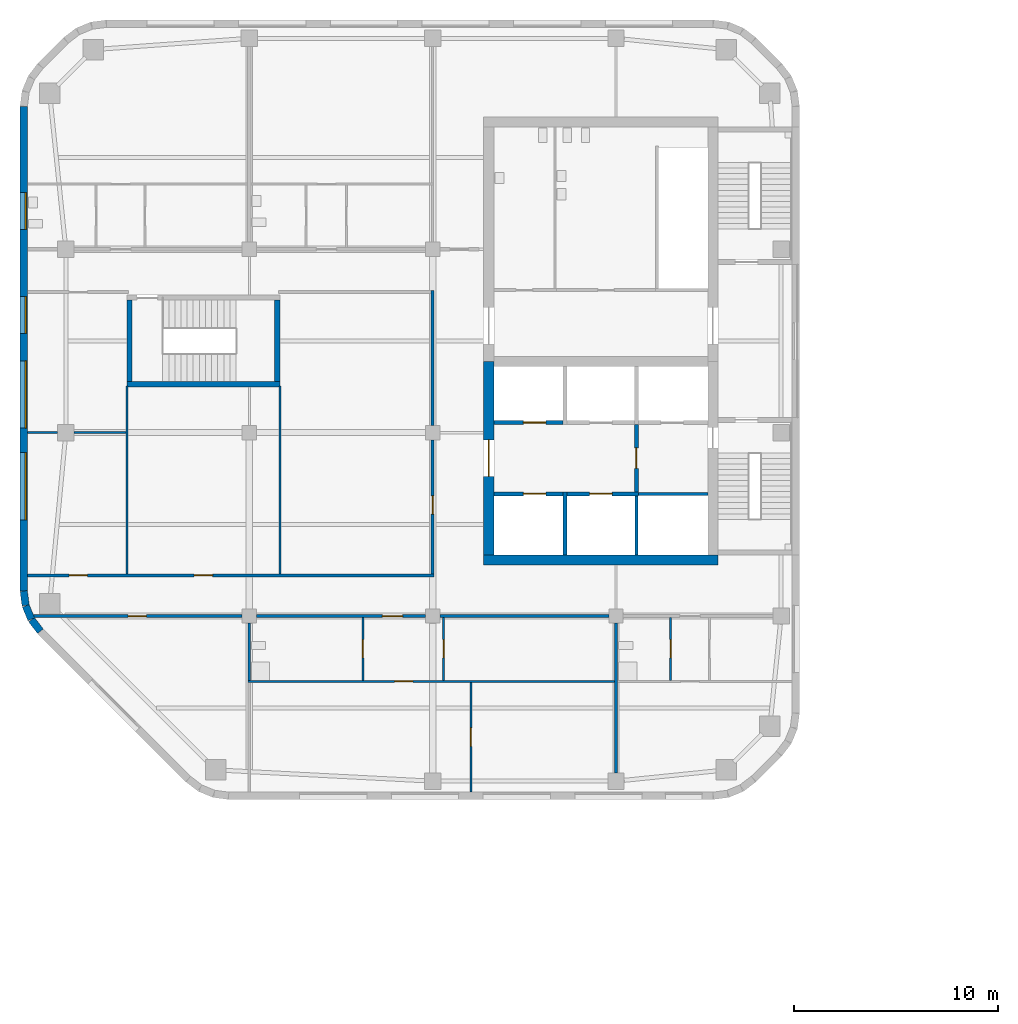
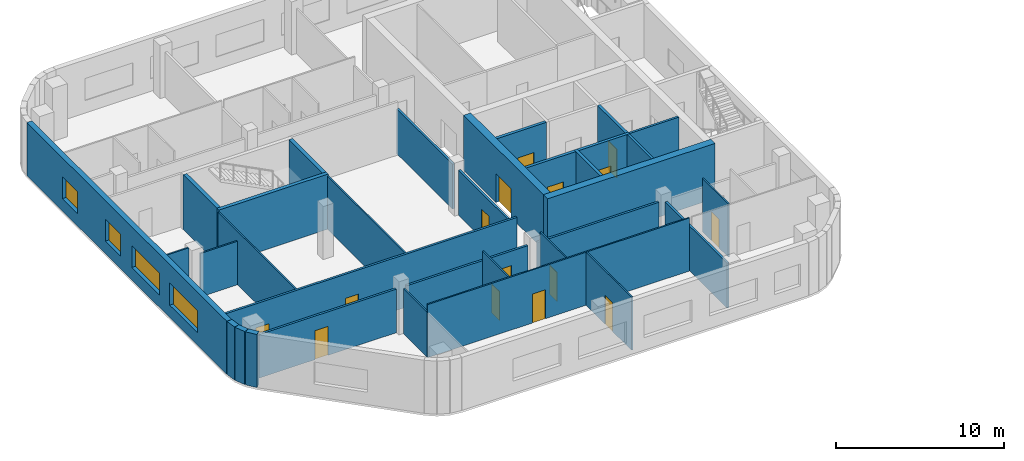
# One storey, part 5 of 15: 33 walls, 15 doors, 4 windows, 19 openings.
"""IFC4 building model written with IfcOpenShell, lengths in metres."""

from ifc_helpers import new_model, si_unit, direction, frame, frame_2d, origin, place, context, subcontext, project, spatial, rectangle, extrude, material, layer, layer_set, type_object, element, fill, save


model = new_model("IFC4")

# Units and contexts
model_context = context("Model", 3, precision=1e-05, world=origin(), true_north=direction((0.0, 1.0)))
body_context = subcontext(model_context, "Body", "Model", "MODEL_VIEW")
ifc_project = project(units=[si_unit("LENGTHUNIT", "METRE"), si_unit("AREAUNIT", "SQUARE_METRE"), si_unit("VOLUMEUNIT", "CUBIC_METRE"), si_unit("PLANEANGLEUNIT", "RADIAN"), si_unit("MASSUNIT", "GRAM", prefix="KILO")], contexts=[model_context])

# Site, building, storey
site_placement = place(None, origin())
site = spatial("IfcSite", under=ifc_project, at=site_placement, CompositionType="ELEMENT")
building_placement = place(site_placement, origin())
building = spatial("IfcBuilding", under=site, at=building_placement, Name="Cinnabar Reach Civic Tower", CompositionType="ELEMENT")
storey_placement = place(building_placement, frame((0.0, 0.0, 59.0)))
storey = spatial("IfcBuildingStorey", under=building, at=storey_placement, Name="L13", CompositionType="ELEMENT", Elevation=59.0)

# Walls
ifc_material_1 = material(Name="Facing brick with insulated backing", Category="masonry")
ifc_layer_1 = layer(ifc_material_1, 0.36)
ifc_layer_set_1 = layer_set([ifc_layer_1], Name="Brick corner wall")
wall_type_1 = type_object("IfcWallType", Name="Brick corner wall", PredefinedType="STANDARD", material=ifc_layer_set_1)
for number, where, z_axis, x_axis, name in (
    (1, (-65.067, 19.2314, 0.0), (0.0, 0.0, 1.0), (0.13055608231, -0.99144092581, 0.0), "Brick corner wall"),
    (2, (-64.9681, 18.5027, 0.0), (0.0, 0.0, 1.0), (0.382702709855, -0.923871547278, 0.0), "Brick corner wall"),
):
    element("IfcWall", number, at=place(storey_placement, frame(where, z_axis=z_axis, x_axis=x_axis)), inside=storey, type_object=wall_type_1, Name=name, PredefinedType="STANDARD", context=body_context, shape_type="SweptSolid", body=[
        extrude(rectangle(XDim=0.7131, YDim=0.36, at=frame_2d((0.3565, 0.0))), origin(), (0.0, 0.0, 1.0), 3.85),
    ])
wall_1_placement = place(storey_placement, frame((-64.684, 17.8245, 0.0), z_axis=(0.0, 0.0, 1.0), x_axis=(0.608802368033, -0.793321924995, 0.0)))
element("IfcWall", 3, at=wall_1_placement, inside=storey, type_object=wall_type_1, Name="Brick corner wall", PredefinedType="STANDARD", context=body_context, shape_type="SweptSolid", body=[
    extrude(rectangle(XDim=0.7132, YDim=0.36, at=frame_2d((0.3566, 0.0))), origin(), (0.0, 0.0, 1.0), 3.85),
])

# Wall, openings, windows
ifc_layer_2 = layer(ifc_material_1, 0.36)
ifc_layer_set_2 = layer_set([ifc_layer_2], Name="Brick pier and spandrel wall")
wall_type_2 = type_object("IfcWallType", Name="Brick pier and spandrel wall", PredefinedType="STANDARD", material=ifc_layer_set_2)
wall_2_placement = place(storey_placement, frame((-65.07, 43.0074, 0.0), z_axis=(0.0, 0.0, 1.0), x_axis=(0.0, -1.0, 0.0)))
wall_2 = element("IfcWall", 4, at=wall_2_placement, inside=storey, type_object=wall_type_2, Name="Brick facade wall", PredefinedType="STANDARD", context=body_context, shape_type="SweptSolid", body=[
    extrude(rectangle(XDim=23.7648, YDim=0.36, at=frame_2d((11.8824, 0.0))), origin(), (0.0, 0.0, 1.0), 3.85),
])
opening_1_placement = place(wall_2_placement, frame((4.2324, 0.0, 0.9)))
opening_1 = element("IfcOpeningElement", 5, at=opening_1_placement, cuts=wall_2, Name="Opening W2528", PredefinedType="OPENING", context=body_context, shape_type="SweptSolid", body=[
    extrude(rectangle(XDim=1.8, YDim=1.6, at=frame_2d((0.9, 0.8))), frame((0.0, 0.19, 0.0), z_axis=(0.0, -1.0, 0.0), x_axis=(1.0, 0.0, 0.0)), (0.0, 0.0, 1.0), 0.38),
])
opening_2_placement = place(wall_2_placement, frame((9.3324, 0.0, 0.9)))
opening_2 = element("IfcOpeningElement", 6, at=opening_2_placement, cuts=wall_2, Name="Opening W2529", PredefinedType="OPENING", context=body_context, shape_type="SweptSolid", body=[
    extrude(rectangle(XDim=1.8, YDim=1.6, at=frame_2d((0.9, 0.8))), frame((0.0, 0.19, 0.0), z_axis=(0.0, -1.0, 0.0), x_axis=(1.0, 0.0, 0.0)), (0.0, 0.0, 1.0), 0.38),
])
opening_3_placement = place(wall_2_placement, frame((12.4824, 0.0, 0.9)))
opening_3 = element("IfcOpeningElement", 7, at=opening_3_placement, cuts=wall_2, Name="Opening W2530", PredefinedType="OPENING", context=body_context, shape_type="SweptSolid", body=[
    extrude(rectangle(XDim=3.3, YDim=1.6, at=frame_2d((1.65, 0.8))), frame((0.0, 0.19, 0.0), z_axis=(0.0, -1.0, 0.0), x_axis=(1.0, 0.0, 0.0)), (0.0, 0.0, 1.0), 0.38),
])
opening_4_placement = place(wall_2_placement, frame((16.9824, 0.0, 0.9)))
opening_4 = element("IfcOpeningElement", 8, at=opening_4_placement, cuts=wall_2, Name="Opening W2531", PredefinedType="OPENING", context=body_context, shape_type="SweptSolid", body=[
    extrude(rectangle(XDim=3.3, YDim=1.6, at=frame_2d((1.65, 0.8))), frame((0.0, 0.19, 0.0), z_axis=(0.0, -1.0, 0.0), x_axis=(1.0, 0.0, 0.0)), (0.0, 0.0, 1.0), 0.38),
])
ifc_material_2 = material(Name="Clear double glazing in aluminium frame", Category="aluminium")
window_type_1 = type_object("IfcWindowType", Name="Deep-set window A", PartitioningType="SINGLE_PANEL", PredefinedType="WINDOW", material=ifc_material_2)
window_1_placement = place(opening_3_placement, origin())
window_1 = element("IfcWindow", 9, at=window_1_placement, inside=storey, type_object=window_type_1, Name="Window west face", OverallHeight=1.6, OverallWidth=3.3, PartitioningType="SINGLE_PANEL", PredefinedType="WINDOW", context=body_context, shape_type="SweptSolid", body=[
    extrude(rectangle(XDim=3.3, YDim=1.6, at=frame_2d((1.65, 0.8))), frame((0.0, 0.13, 0.0), z_axis=(0.0, -1.0, 0.0), x_axis=(1.0, 0.0, 0.0)), (0.0, 0.0, 1.0), 0.06),
])
fill(opening_3, window_1)
window_2_placement = place(opening_4_placement, origin())
window_2 = element("IfcWindow", 10, at=window_2_placement, inside=storey, type_object=window_type_1, Name="Window west face", OverallHeight=1.6, OverallWidth=3.3, PartitioningType="SINGLE_PANEL", PredefinedType="WINDOW", context=body_context, shape_type="SweptSolid", body=[
    extrude(rectangle(XDim=3.3, YDim=1.6, at=frame_2d((1.65, 0.8))), frame((0.0, 0.13, 0.0), z_axis=(0.0, -1.0, 0.0), x_axis=(1.0, 0.0, 0.0)), (0.0, 0.0, 1.0), 0.06),
])
fill(opening_4, window_2)
window_type_2 = type_object("IfcWindowType", Name="Deep-set window D", PartitioningType="SINGLE_PANEL", PredefinedType="WINDOW", material=ifc_material_2)
window_3_placement = place(opening_1_placement, origin())
window_3 = element("IfcWindow", 11, at=window_3_placement, inside=storey, type_object=window_type_2, Name="Window west face", OverallHeight=1.6, OverallWidth=1.8, PartitioningType="SINGLE_PANEL", PredefinedType="WINDOW", context=body_context, shape_type="SweptSolid", body=[
    extrude(rectangle(XDim=1.8, YDim=1.6, at=frame_2d((0.9, 0.8))), frame((0.0, 0.13, 0.0), z_axis=(0.0, -1.0, 0.0), x_axis=(1.0, 0.0, 0.0)), (0.0, 0.0, 1.0), 0.06),
])
fill(opening_1, window_3)
window_4_placement = place(opening_2_placement, origin())
window_4 = element("IfcWindow", 12, at=window_4_placement, inside=storey, type_object=window_type_2, Name="Window west face", OverallHeight=1.6, OverallWidth=1.8, PartitioningType="SINGLE_PANEL", PredefinedType="WINDOW", context=body_context, shape_type="SweptSolid", body=[
    extrude(rectangle(XDim=1.8, YDim=1.6, at=frame_2d((0.9, 0.8))), frame((0.0, 0.13, 0.0), z_axis=(0.0, -1.0, 0.0), x_axis=(1.0, 0.0, 0.0)), (0.0, 0.0, 1.0), 0.06),
])
fill(opening_2, window_4)

# Wall
ifc_material_3 = material(Name="Concrete C60", Category="concrete")
ifc_layer_3 = layer(ifc_material_3, 0.5)
ifc_layer_set_3 = layer_set([ifc_layer_3], Name="Core wall 500 EI 180")
wall_type_3 = type_object("IfcWallType", Name="Core wall 500 EI 180", PredefinedType="SOLIDWALL", material=ifc_layer_set_3)
wall_3_placement = place(storey_placement, frame((-42.5, 20.75, 0.0), z_axis=(0.0, 0.0, 1.0), x_axis=(1.0, 0.0, 0.0)))
element("IfcWall", 13, at=wall_3_placement, inside=storey, type_object=wall_type_3, Name="Core wall T2 L13 S", PredefinedType="SOLIDWALL", context=body_context, shape_type="SweptSolid", body=[
    extrude(rectangle(XDim=11.5, YDim=0.5, at=frame_2d((5.75, 0.0))), origin(), (0.0, 0.0, 1.0), 4.0),
])

# Wall, opening, door
wall_4_placement = place(storey_placement, frame((-42.25, 30.5, 0.0), z_axis=(0.0, 0.0, 1.0), x_axis=(0.0, -1.0, 0.0)))
wall_4 = element("IfcWall", 14, at=wall_4_placement, inside=storey, type_object=wall_type_3, Name="Core wall T2 L13 W2", PredefinedType="SOLIDWALL", context=body_context, shape_type="SweptSolid", body=[
    extrude(rectangle(XDim=9.5, YDim=0.5, at=frame_2d((4.75, 0.0))), origin(), (0.0, 0.0, 1.0), 4.0),
])
opening_5_placement = place(wall_4_placement, frame((3.85, 0.0, 0.0)))
opening_5 = element("IfcOpeningElement", 15, at=opening_5_placement, cuts=wall_4, Name="Opening D6494", PredefinedType="OPENING", context=body_context, shape_type="SweptSolid", body=[
    extrude(rectangle(XDim=1.8, YDim=2.1, at=frame_2d((0.9, 1.05))), frame((0.0, 0.26, 0.0), z_axis=(0.0, -1.0, 0.0), x_axis=(1.0, 0.0, 0.0)), (0.0, 0.0, 1.0), 0.52),
])
ifc_material_4 = material(Name="Steel fire door", Category="steel")
door_type_1 = type_object("IfcDoorType", Name="T2 Double door 1800", OperationType="DOUBLE_DOOR_SINGLE_SWING", PredefinedType="DOOR", material=ifc_material_4)
door_1_placement = place(opening_5_placement, origin())
door_1 = element("IfcDoor", 16, at=door_1_placement, inside=storey, type_object=door_type_1, Name="T2 Double door D6494", OperationType="DOUBLE_DOOR_SINGLE_SWING", OverallHeight=2.1, OverallWidth=1.8, PredefinedType="DOOR", context=body_context, shape_type="SweptSolid", body=[
    extrude(rectangle(XDim=1.8, YDim=2.1, at=frame_2d((0.9, 1.05))), frame((0.0, 0.025, 0.0), z_axis=(0.0, -1.0, 0.0), x_axis=(1.0, 0.0, 0.0)), (0.0, 0.0, 1.0), 0.05),
])
fill(opening_5, door_1)

# Wall
ifc_material_5 = material(Name="Gypsum board on steel studs, double layer", Category="steel")
ifc_layer_4 = layer(ifc_material_5, 0.15)
ifc_layer_set_4 = layer_set([ifc_layer_4], Name="Corridor wall 150 T2")
wall_type_4 = type_object("IfcWallType", Name="Corridor wall 150 T2", PredefinedType="PARTITIONING", material=ifc_layer_set_4)
wall_5_placement = place(storey_placement, frame((-44.65, 18.0, 0.0), z_axis=(0.0, 0.0, 1.0), x_axis=(1.0, 0.0, 0.0)))
element("IfcWall", 17, at=wall_5_placement, inside=storey, type_object=wall_type_4, Name="Corridor wall 2", PredefinedType="PARTITIONING", context=body_context, shape_type="SweptSolid", body=[
    extrude(rectangle(XDim=8.3, YDim=0.15, at=frame_2d((4.15, 0.0))), origin(), (0.0, 0.0, 1.0), 3.158),
])

# Wall, opening, door
wall_6_placement = place(storey_placement, frame((-53.65, 18.0, 0.0), z_axis=(0.0, 0.0, 1.0), x_axis=(1.0, 0.0, 0.0)))
wall_6 = element("IfcWall", 18, at=wall_6_placement, inside=storey, type_object=wall_type_4, Name="Corridor wall 3", PredefinedType="PARTITIONING", context=body_context, shape_type="SweptSolid", body=[
    extrude(rectangle(XDim=8.3, YDim=0.15, at=frame_2d((4.15, 0.0))), origin(), (0.0, 0.0, 1.0), 3.158),
])
opening_6_placement = place(wall_6_placement, frame((6.18, 0.0, 0.0)))
opening_6 = element("IfcOpeningElement", 19, at=opening_6_placement, cuts=wall_6, Name="Opening D6504", PredefinedType="OPENING", context=body_context, shape_type="SweptSolid", body=[
    extrude(rectangle(XDim=1.0, YDim=2.1, at=frame_2d((0.5, 1.05))), frame((0.0, 0.085, 0.0), z_axis=(0.0, -1.0, 0.0), x_axis=(1.0, 0.0, 0.0)), (0.0, 0.0, 1.0), 0.17),
])
ifc_material_6 = material(Name="Timber door leaf in steel frame", Category="steel")
door_type_2 = type_object("IfcDoorType", Name="Tenancy entrance door 1000 x 2100 T2", OperationType="SINGLE_SWING_LEFT", PredefinedType="DOOR", material=ifc_material_6)
door_2_placement = place(opening_6_placement, frame((1.0, 0.0, 0.0), z_axis=(0.0, 0.0, 1.0), x_axis=(-1.0, 0.0, 0.0)))
door_2 = element("IfcDoor", 20, at=door_2_placement, inside=storey, type_object=door_type_2, Name="Door D6504", OperationType="SINGLE_SWING_RIGHT", OverallHeight=2.1, OverallWidth=1.0, PredefinedType="DOOR", context=body_context, shape_type="SweptSolid", body=[
    extrude(rectangle(XDim=1.0, YDim=2.1, at=frame_2d((0.5, 1.05))), frame((0.0, 0.025, 0.0), z_axis=(0.0, -1.0, 0.0), x_axis=(1.0, 0.0, 0.0)), (0.0, 0.0, 1.0), 0.05),
])
fill(opening_6, door_2)

wall_7_placement = place(storey_placement, frame((-64.5961, 18.0, 0.0), z_axis=(0.0, 0.0, 1.0), x_axis=(1.0, 0.0, 0.0)))
wall_7 = element("IfcWall", 21, at=wall_7_placement, inside=storey, type_object=wall_type_4, Name="Corridor wall 4", PredefinedType="PARTITIONING", context=body_context, shape_type="SweptSolid", body=[
    extrude(rectangle(XDim=10.2461, YDim=0.15, at=frame_2d((5.1231, 0.0))), origin(), (0.0, 0.0, 1.0), 3.158),
])
opening_7_placement = place(wall_7_placement, frame((4.65, 0.0, 0.0)))
opening_7 = element("IfcOpeningElement", 22, at=opening_7_placement, cuts=wall_7, Name="Opening D6499", PredefinedType="OPENING", context=body_context, shape_type="SweptSolid", body=[
    extrude(rectangle(XDim=0.9, YDim=2.1, at=frame_2d((0.45, 1.05))), frame((0.0, 0.085, 0.0), z_axis=(0.0, -1.0, 0.0), x_axis=(1.0, 0.0, 0.0)), (0.0, 0.0, 1.0), 0.17),
])
door_type_3 = type_object("IfcDoorType", Name="Single swing door 900 x 2100 T2", OperationType="SINGLE_SWING_LEFT", PredefinedType="DOOR", material=ifc_material_6)
door_3_placement = place(opening_7_placement, frame((0.9, 0.0, 0.0), z_axis=(0.0, 0.0, 1.0), x_axis=(-1.0, 0.0, 0.0)))
door_3 = element("IfcDoor", 23, at=door_3_placement, inside=storey, type_object=door_type_3, Name="Door D6499", OperationType="SINGLE_SWING_LEFT", OverallHeight=2.1, OverallWidth=0.9, PredefinedType="DOOR", context=body_context, shape_type="SweptSolid", body=[
    extrude(rectangle(XDim=0.9, YDim=2.1, at=frame_2d((0.45, 1.05))), frame((0.0, 0.025, 0.0), z_axis=(0.0, -1.0, 0.0), x_axis=(1.0, 0.0, 0.0)), (0.0, 0.0, 1.0), 0.05),
])
fill(opening_7, door_3)

# Wall, openings, doors
wall_8_placement = place(storey_placement, frame((-64.89, 20.0, 0.0), z_axis=(0.0, 0.0, 1.0), x_axis=(1.0, 0.0, 0.0)))
wall_8 = element("IfcWall", 24, at=wall_8_placement, inside=storey, type_object=wall_type_4, Name="Corridor wall 9", PredefinedType="PARTITIONING", context=body_context, shape_type="SweptSolid", body=[
    extrude(rectangle(XDim=19.965, YDim=0.15, at=frame_2d((9.9825, 0.0))), origin(), (0.0, 0.0, 1.0), 3.85),
])
opening_8_placement = place(wall_8_placement, frame((2.05, 0.0, 0.0)))
opening_8 = element("IfcOpeningElement", 25, at=opening_8_placement, cuts=wall_8, Name="Opening D6517", PredefinedType="OPENING", context=body_context, shape_type="SweptSolid", body=[
    extrude(rectangle(XDim=0.9, YDim=2.1, at=frame_2d((0.45, 1.05))), frame((0.0, 0.085, 0.0), z_axis=(0.0, -1.0, 0.0), x_axis=(1.0, 0.0, 0.0)), (0.0, 0.0, 1.0), 0.17),
])
opening_9_placement = place(wall_8_placement, frame((8.19, 0.0, 0.0)))
opening_9 = element("IfcOpeningElement", 26, at=opening_9_placement, cuts=wall_8, Name="Opening D6519", PredefinedType="OPENING", context=body_context, shape_type="SweptSolid", body=[
    extrude(rectangle(XDim=0.9, YDim=2.1, at=frame_2d((0.45, 1.05))), frame((0.0, 0.085, 0.0), z_axis=(0.0, -1.0, 0.0), x_axis=(1.0, 0.0, 0.0)), (0.0, 0.0, 1.0), 0.17),
])
door_4_placement = place(opening_8_placement, origin())
door_4 = element("IfcDoor", 27, at=door_4_placement, inside=storey, type_object=door_type_3, Name="Door D6517", OperationType="SINGLE_SWING_LEFT", OverallHeight=2.1, OverallWidth=0.9, PredefinedType="DOOR", context=body_context, shape_type="SweptSolid", body=[
    extrude(rectangle(XDim=0.9, YDim=2.1, at=frame_2d((0.45, 1.05))), frame((0.0, 0.025, 0.0), z_axis=(0.0, -1.0, 0.0), x_axis=(1.0, 0.0, 0.0)), (0.0, 0.0, 1.0), 0.05),
])
fill(opening_8, door_4)
door_5_placement = place(opening_9_placement, origin())
door_5 = element("IfcDoor", 28, at=door_5_placement, inside=storey, type_object=door_type_3, Name="Door D6519", OperationType="SINGLE_SWING_RIGHT", OverallHeight=2.1, OverallWidth=0.9, PredefinedType="DOOR", context=body_context, shape_type="SweptSolid", body=[
    extrude(rectangle(XDim=0.9, YDim=2.1, at=frame_2d((0.45, 1.05))), frame((0.0, 0.025, 0.0), z_axis=(0.0, -1.0, 0.0), x_axis=(1.0, 0.0, 0.0)), (0.0, 0.0, 1.0), 0.05),
])
fill(opening_9, door_5)

# Wall, opening, door
wall_9_placement = place(storey_placement, frame((-45.0, 20.075, 0.0), z_axis=(0.0, 0.0, 1.0), x_axis=(0.0, 1.0, 0.0)))
wall_9 = element("IfcWall", 29, at=wall_9_placement, inside=storey, type_object=wall_type_4, Name="Corridor wall 10", PredefinedType="PARTITIONING", context=body_context, shape_type="SweptSolid", body=[
    extrude(rectangle(XDim=6.575, YDim=0.15, at=frame_2d((3.2875, 0.0))), origin(), (0.0, 0.0, 1.0), 3.256),
])
opening_10_placement = place(wall_9_placement, frame((2.925, 0.0, 0.0)))
opening_10 = element("IfcOpeningElement", 30, at=opening_10_placement, cuts=wall_9, Name="Opening D6520", PredefinedType="OPENING", context=body_context, shape_type="SweptSolid", body=[
    extrude(rectangle(XDim=0.9, YDim=2.1, at=frame_2d((0.45, 1.05))), frame((0.0, 0.085, 0.0), z_axis=(0.0, -1.0, 0.0), x_axis=(1.0, 0.0, 0.0)), (0.0, 0.0, 1.0), 0.17),
])
door_6_placement = place(opening_10_placement, origin())
door_6 = element("IfcDoor", 31, at=door_6_placement, inside=storey, type_object=door_type_3, Name="Door D6520", OperationType="SINGLE_SWING_RIGHT", OverallHeight=2.1, OverallWidth=0.9, PredefinedType="DOOR", context=body_context, shape_type="SweptSolid", body=[
    extrude(rectangle(XDim=0.9, YDim=2.1, at=frame_2d((0.45, 1.05))), frame((0.0, 0.025, 0.0), z_axis=(0.0, -1.0, 0.0), x_axis=(1.0, 0.0, 0.0)), (0.0, 0.0, 1.0), 0.05),
])
fill(opening_10, door_6)

# Wall
wall_10_placement = place(storey_placement, frame((-45.0, 27.35, 0.0), z_axis=(0.0, 0.0, 1.0), x_axis=(0.0, 1.0, 0.0)))
element("IfcWall", 32, at=wall_10_placement, inside=storey, type_object=wall_type_4, Name="Corridor wall 11", PredefinedType="PARTITIONING", context=body_context, shape_type="SweptSolid", body=[
    extrude(rectangle(XDim=6.625, YDim=0.15, at=frame_2d((3.3125, 0.0))), origin(), (0.0, 0.0, 1.0), 3.256),
])

# Wall, opening, door
ifc_material_7 = material(Name="Gypsum board on steel studs", Category="steel")
ifc_layer_5 = layer(ifc_material_7, 0.1)
ifc_layer_set_5 = layer_set([ifc_layer_5], Name="Partition wall 100 T2")
wall_type_5 = type_object("IfcWallType", Name="Partition wall 100 T2", PredefinedType="PARTITIONING", material=ifc_layer_set_5)
wall_11_placement = place(storey_placement, frame((-54.05, 14.8, 0.0), z_axis=(0.0, 0.0, 1.0), x_axis=(1.0, 0.0, 0.0)))
wall_11 = element("IfcWall", 33, at=wall_11_placement, inside=storey, type_object=wall_type_5, Name="Partition wall 16", PredefinedType="PARTITIONING", context=body_context, shape_type="SweptSolid", body=[
    extrude(rectangle(XDim=17.975, YDim=0.1, at=frame_2d((8.9875, 0.0))), origin(), (0.0, 0.0, 1.0), 3.85),
])
opening_11_placement = place(wall_11_placement, frame((7.18, 0.0, 0.0)))
opening_11 = element("IfcOpeningElement", 34, at=opening_11_placement, cuts=wall_11, Name="Opening D6502", PredefinedType="OPENING", context=body_context, shape_type="SweptSolid", body=[
    extrude(rectangle(XDim=0.9, YDim=2.1, at=frame_2d((0.45, 1.05))), frame((0.0, 0.06, 0.0), z_axis=(0.0, -1.0, 0.0), x_axis=(1.0, 0.0, 0.0)), (0.0, 0.0, 1.0), 0.12),
])
door_7_placement = place(opening_11_placement, origin())
door_7 = element("IfcDoor", 35, at=door_7_placement, inside=storey, type_object=door_type_3, Name="Door D6502", OperationType="SINGLE_SWING_RIGHT", OverallHeight=2.1, OverallWidth=0.9, PredefinedType="DOOR", context=body_context, shape_type="SweptSolid", body=[
    extrude(rectangle(XDim=0.9, YDim=2.1, at=frame_2d((0.45, 1.05))), frame((0.0, 0.025, 0.0), z_axis=(0.0, -1.0, 0.0), x_axis=(1.0, 0.0, 0.0)), (0.0, 0.0, 1.0), 0.05),
])
fill(opening_11, door_7)

# Walls
for number, where, z_axis, x_axis, name in (
    (36, (-60.0, 20.075, 0.0), (0.0, 0.0, 1.0), (0.0, 1.0, 0.0), "Partition wall 22"),
    (37, (-52.5, 20.075, 0.0), (0.0, 0.0, 1.0), (0.0, 1.0, 0.0), "Partition wall 23"),
):
    element("IfcWall", number, at=place(storey_placement, frame(where, z_axis=z_axis, x_axis=x_axis)), inside=storey, type_object=wall_type_5, Name=name, PredefinedType="PARTITIONING", context=body_context, shape_type="SweptSolid", body=[
        extrude(rectangle(XDim=9.225, YDim=0.1, at=frame_2d((4.6125, 0.0))), origin(), (0.0, 0.0, 1.0), 3.85),
    ])
wall_12_placement = place(storey_placement, frame((-54.0, 14.85, 0.0), z_axis=(0.0, 0.0, 1.0), x_axis=(0.0, 1.0, 0.0)))
element("IfcWall", 38, at=wall_12_placement, inside=storey, type_object=wall_type_5, Name="Partition wall 25", PredefinedType="PARTITIONING", context=body_context, shape_type="SweptSolid", body=[
    extrude(rectangle(XDim=2.8, YDim=0.1, at=frame_2d((1.4, 0.0))), origin(), (0.0, 0.0, 1.0), 3.256),
])

# Wall, opening, door
wall_13_placement = place(storey_placement, frame((-43.13, 9.36, 0.0), z_axis=(0.0, 0.0, 1.0), x_axis=(0.0, 1.0, 0.0)))
wall_13 = element("IfcWall", 39, at=wall_13_placement, inside=storey, type_object=wall_type_5, Name="Partition wall 26", PredefinedType="PARTITIONING", context=body_context, shape_type="SweptSolid", body=[
    extrude(rectangle(XDim=5.39, YDim=0.1, at=frame_2d((2.695, 0.0))), origin(), (0.0, 0.0, 1.0), 3.85),
])
opening_12_placement = place(wall_13_placement, frame((2.25, 0.0, 0.0)))
opening_12 = element("IfcOpeningElement", 40, at=opening_12_placement, cuts=wall_13, Name="Opening D6503", PredefinedType="OPENING", context=body_context, shape_type="SweptSolid", body=[
    extrude(rectangle(XDim=0.9, YDim=2.1, at=frame_2d((0.45, 1.05))), frame((0.0, 0.06, 0.0), z_axis=(0.0, -1.0, 0.0), x_axis=(1.0, 0.0, 0.0)), (0.0, 0.0, 1.0), 0.12),
])
door_8_placement = place(opening_12_placement, frame((0.9, 0.0, 0.0), z_axis=(0.0, 0.0, 1.0), x_axis=(-1.0, 0.0, 0.0)))
door_8 = element("IfcDoor", 41, at=door_8_placement, inside=storey, type_object=door_type_3, Name="Door D6503", OperationType="SINGLE_SWING_RIGHT", OverallHeight=2.1, OverallWidth=0.9, PredefinedType="DOOR", context=body_context, shape_type="SweptSolid", body=[
    extrude(rectangle(XDim=0.9, YDim=2.1, at=frame_2d((0.45, 1.05))), frame((0.0, 0.025, 0.0), z_axis=(0.0, -1.0, 0.0), x_axis=(1.0, 0.0, 0.0)), (0.0, 0.0, 1.0), 0.05),
])
fill(opening_12, door_8)

# Walls
wall_14_placement = place(storey_placement, frame((-62.6, 27.0, 0.0), z_axis=(0.0, 0.0, 1.0), x_axis=(1.0, 0.0, 0.0)))
element("IfcWall", 42, at=wall_14_placement, inside=storey, type_object=wall_type_5, Name="Partition wall 27", PredefinedType="PARTITIONING", context=body_context, shape_type="SweptSolid", body=[
    extrude(rectangle(XDim=2.55, YDim=0.1, at=frame_2d((1.275, 0.0))), origin(), (0.0, 0.0, 1.0), 3.158),
])
wall_15_placement = place(storey_placement, frame((-64.89, 27.0, 0.0), z_axis=(0.0, 0.0, 1.0), x_axis=(1.0, 0.0, 0.0)))
element("IfcWall", 43, at=wall_15_placement, inside=storey, type_object=wall_type_5, Name="Partition wall 28", PredefinedType="PARTITIONING", context=body_context, shape_type="SweptSolid", body=[
    extrude(rectangle(XDim=1.49, YDim=0.1, at=frame_2d((0.745, 0.0))), origin(), (0.0, 0.0, 1.0), 3.85),
])

# Wall, opening, door
wall_16_placement = place(storey_placement, frame((-48.42, 14.85, 0.0), z_axis=(0.0, 0.0, 1.0), x_axis=(0.0, 1.0, 0.0)))
wall_16 = element("IfcWall", 44, at=wall_16_placement, inside=storey, type_object=wall_type_5, Name="Partition wall 33", PredefinedType="PARTITIONING", context=body_context, shape_type="SweptSolid", body=[
    extrude(rectangle(XDim=3.075, YDim=0.1, at=frame_2d((1.5375, 0.0))), origin(), (0.0, 0.0, 1.0), 3.85),
])
opening_13_placement = place(wall_16_placement, frame((1.1, 0.0, 0.0)))
opening_13 = element("IfcOpeningElement", 45, at=opening_13_placement, cuts=wall_16, Name="Opening D6500", PredefinedType="OPENING", context=body_context, shape_type="SweptSolid", body=[
    extrude(rectangle(XDim=0.9, YDim=2.1, at=frame_2d((0.45, 1.05))), frame((0.0, 0.06, 0.0), z_axis=(0.0, -1.0, 0.0), x_axis=(1.0, 0.0, 0.0)), (0.0, 0.0, 1.0), 0.12),
])
door_9_placement = place(opening_13_placement, origin())
door_9 = element("IfcDoor", 46, at=door_9_placement, inside=storey, type_object=door_type_3, Name="Door D6500", OperationType="SINGLE_SWING_RIGHT", OverallHeight=2.1, OverallWidth=0.9, PredefinedType="DOOR", context=body_context, shape_type="SweptSolid", body=[
    extrude(rectangle(XDim=0.9, YDim=2.1, at=frame_2d((0.45, 1.05))), frame((0.0, 0.025, 0.0), z_axis=(0.0, -1.0, 0.0), x_axis=(1.0, 0.0, 0.0)), (0.0, 0.0, 1.0), 0.05),
])
fill(opening_13, door_9)

wall_17_placement = place(storey_placement, frame((-44.46, 14.85, 0.0), z_axis=(0.0, 0.0, 1.0), x_axis=(0.0, 1.0, 0.0)))
wall_17 = element("IfcWall", 47, at=wall_17_placement, inside=storey, type_object=wall_type_5, Name="Partition wall 34", PredefinedType="PARTITIONING", context=body_context, shape_type="SweptSolid", body=[
    extrude(rectangle(XDim=3.075, YDim=0.1, at=frame_2d((1.5375, 0.0))), origin(), (0.0, 0.0, 1.0), 3.85),
])
opening_14_placement = place(wall_17_placement, frame((1.1, 0.0, 0.0)))
opening_14 = element("IfcOpeningElement", 48, at=opening_14_placement, cuts=wall_17, Name="Opening D6501", PredefinedType="OPENING", context=body_context, shape_type="SweptSolid", body=[
    extrude(rectangle(XDim=0.9, YDim=2.1, at=frame_2d((0.45, 1.05))), frame((0.0, 0.06, 0.0), z_axis=(0.0, -1.0, 0.0), x_axis=(1.0, 0.0, 0.0)), (0.0, 0.0, 1.0), 0.12),
])
door_10_placement = place(opening_14_placement, origin())
door_10 = element("IfcDoor", 49, at=door_10_placement, inside=storey, type_object=door_type_3, Name="Door D6501", OperationType="SINGLE_SWING_LEFT", OverallHeight=2.1, OverallWidth=0.9, PredefinedType="DOOR", context=body_context, shape_type="SweptSolid", body=[
    extrude(rectangle(XDim=0.9, YDim=2.1, at=frame_2d((0.45, 1.05))), frame((0.0, 0.025, 0.0), z_axis=(0.0, -1.0, 0.0), x_axis=(1.0, 0.0, 0.0)), (0.0, 0.0, 1.0), 0.05),
])
fill(opening_14, door_10)

wall_18_placement = place(storey_placement, frame((-33.3216, 14.85, 0.0), z_axis=(0.0, 0.0, 1.0), x_axis=(0.0, 1.0, 0.0)))
wall_18 = element("IfcWall", 50, at=wall_18_placement, inside=storey, type_object=wall_type_5, Name="Partition wall 35", PredefinedType="PARTITIONING", context=body_context, shape_type="SweptSolid", body=[
    extrude(rectangle(XDim=3.075, YDim=0.1, at=frame_2d((1.5375, 0.0))), origin(), (0.0, 0.0, 1.0), 3.85),
])
opening_15_placement = place(wall_18_placement, frame((1.1, 0.0, 0.0)))
opening_15 = element("IfcOpeningElement", 51, at=opening_15_placement, cuts=wall_18, Name="Opening D6505", PredefinedType="OPENING", context=body_context, shape_type="SweptSolid", body=[
    extrude(rectangle(XDim=0.9, YDim=2.1, at=frame_2d((0.45, 1.05))), frame((0.0, 0.06, 0.0), z_axis=(0.0, -1.0, 0.0), x_axis=(1.0, 0.0, 0.0)), (0.0, 0.0, 1.0), 0.12),
])
door_11_placement = place(opening_15_placement, origin())
door_11 = element("IfcDoor", 52, at=door_11_placement, inside=storey, type_object=door_type_3, Name="Door D6505", OperationType="SINGLE_SWING_LEFT", OverallHeight=2.1, OverallWidth=0.9, PredefinedType="DOOR", context=body_context, shape_type="SweptSolid", body=[
    extrude(rectangle(XDim=0.9, YDim=2.1, at=frame_2d((0.45, 1.05))), frame((0.0, 0.025, 0.0), z_axis=(0.0, -1.0, 0.0), x_axis=(1.0, 0.0, 0.0)), (0.0, 0.0, 1.0), 0.05),
])
fill(opening_15, door_11)

# Walls
ifc_layer_6 = layer(ifc_material_3, 0.25)
ifc_layer_set_6 = layer_set([ifc_layer_6], Name="Stair shaft wall 250 EI 120")
wall_type_6 = type_object("IfcWallType", Name="Stair shaft wall 250 EI 120", PredefinedType="SOLIDWALL", material=ifc_layer_set_6)
wall_19_placement = place(storey_placement, frame((-60.0, 29.375, 0.0), z_axis=(0.0, 0.0, 1.0), x_axis=(1.0, 0.0, 0.0)))
element("IfcWall", 53, at=wall_19_placement, inside=storey, type_object=wall_type_6, Name="Stair shaft wall T2-S3 L13", PredefinedType="SOLIDWALL", context=body_context, shape_type="SweptSolid", body=[
    extrude(rectangle(XDim=7.5, YDim=0.25, at=frame_2d((3.75, 0.0))), origin(), (0.0, 0.0, 1.0), 4.0),
])
for number, where, z_axis, x_axis, name in (
    (54, (-52.625, 29.5, 0.0), (0.0, 0.0, 1.0), (0.0, 1.0, 0.0), "Stair shaft wall T2-S3 L13"),
    (55, (-59.875, 33.5, 0.0), (0.0, 0.0, 1.0), (0.0, -1.0, 0.0), "Stair shaft wall T2-S3 L13"),
):
    element("IfcWall", number, at=place(storey_placement, frame(where, z_axis=z_axis, x_axis=x_axis)), inside=storey, type_object=wall_type_6, Name=name, PredefinedType="SOLIDWALL", context=body_context, shape_type="SweptSolid", body=[
        extrude(rectangle(XDim=4.0, YDim=0.25, at=frame_2d((2.0, 0.0))), origin(), (0.0, 0.0, 1.0), 4.0),
    ])
ifc_material_8 = material(Name="Concrete C40", Category="concrete")
ifc_layer_7 = layer(ifc_material_8, 0.15)
ifc_layer_set_7 = layer_set([ifc_layer_7], Name="T2 Riser wall 150")
wall_type_7 = type_object("IfcWallType", Name="T2 Riser wall 150", PredefinedType="SOLIDWALL", material=ifc_layer_set_7)
wall_20_placement = place(storey_placement, frame((-35.0, 21.0, 0.0), z_axis=(0.0, 0.0, 1.0), x_axis=(0.0, 1.0, 0.0)))
element("IfcWall", 56, at=wall_20_placement, inside=storey, type_object=wall_type_7, Name="T2 Riser wall L13 010", PredefinedType="SOLIDWALL", context=body_context, shape_type="SweptSolid", body=[
    extrude(rectangle(XDim=2.9, YDim=0.15, at=frame_2d((1.45, 0.0))), origin(), (0.0, 0.0, 1.0), 4.0),
])
wall_21_placement = place(storey_placement, frame((-31.5, 24.0, 0.0), z_axis=(0.0, 0.0, 1.0), x_axis=(-1.0, 0.0, 0.0)))
element("IfcWall", 57, at=wall_21_placement, inside=storey, type_object=wall_type_7, Name="T2 Riser wall L13 011", PredefinedType="SOLIDWALL", context=body_context, shape_type="SweptSolid", body=[
    extrude(rectangle(XDim=3.4, YDim=0.15, at=frame_2d((1.7, 0.0))), origin(), (0.0, 0.0, 1.0), 4.0),
])
ifc_layer_8 = layer(ifc_material_8, 0.2)
ifc_layer_set_8 = layer_set([ifc_layer_8], Name="T2 Shaft wall 200")
wall_type_8 = type_object("IfcWallType", Name="T2 Shaft wall 200", PredefinedType="SOLIDWALL", material=ifc_layer_set_8)
wall_22_placement = place(storey_placement, frame((-38.5, 21.0, 0.0), z_axis=(0.0, 0.0, 1.0), x_axis=(0.0, 1.0, 0.0)))
element("IfcWall", 58, at=wall_22_placement, inside=storey, type_object=wall_type_8, Name="T2 Shaft wall L13 001", PredefinedType="SOLIDWALL", context=body_context, shape_type="SweptSolid", body=[
    extrude(rectangle(XDim=3.1, YDim=0.2, at=frame_2d((1.55, 0.0))), origin(), (0.0, 0.0, 1.0), 4.0),
])

# Wall, opening, door
wall_23_placement = place(storey_placement, frame((-38.6, 24.0, 0.0), z_axis=(0.0, 0.0, 1.0), x_axis=(-1.0, 0.0, 0.0)))
wall_23 = element("IfcWall", 59, at=wall_23_placement, inside=storey, type_object=wall_type_8, Name="T2 Shaft wall L13 002", PredefinedType="SOLIDWALL", context=body_context, shape_type="SweptSolid", body=[
    extrude(rectangle(XDim=3.4, YDim=0.2, at=frame_2d((1.7, 0.0))), origin(), (0.0, 0.0, 1.0), 4.0),
])
opening_16_placement = place(wall_23_placement, frame((0.85, 0.0, 0.0)))
opening_16 = element("IfcOpeningElement", 60, at=opening_16_placement, cuts=wall_23, Name="Opening D6484", PredefinedType="OPENING", context=body_context, shape_type="SweptSolid", body=[
    extrude(rectangle(XDim=1.1, YDim=2.1, at=frame_2d((0.55, 1.05))), frame((0.0, 0.11, 0.0), z_axis=(0.0, -1.0, 0.0), x_axis=(1.0, 0.0, 0.0)), (0.0, 0.0, 1.0), 0.22),
])
door_type_4 = type_object("IfcDoorType", Name="T2 Lift landing door 1100", OperationType="SLIDING_TO_LEFT", PredefinedType="DOOR", material=ifc_material_4)
door_12_placement = place(opening_16_placement, origin())
door_12 = element("IfcDoor", 61, at=door_12_placement, inside=storey, type_object=door_type_4, Name="T2 Lift landing door D6484", OperationType="SLIDING_TO_LEFT", OverallHeight=2.1, OverallWidth=1.1, PredefinedType="DOOR", context=body_context, shape_type="SweptSolid", body=[
    extrude(rectangle(XDim=1.1, YDim=2.1, at=frame_2d((0.55, 1.05))), frame((0.0, 0.025, 0.0), z_axis=(0.0, -1.0, 0.0), x_axis=(1.0, 0.0, 0.0)), (0.0, 0.0, 1.0), 0.05),
])
fill(opening_16, door_12)

wall_24_placement = place(storey_placement, frame((-34.9, 24.0, 0.0), z_axis=(0.0, 0.0, 1.0), x_axis=(-1.0, 0.0, 0.0)))
wall_24 = element("IfcWall", 62, at=wall_24_placement, inside=storey, type_object=wall_type_8, Name="T2 Shaft wall L13 003", PredefinedType="SOLIDWALL", context=body_context, shape_type="SweptSolid", body=[
    extrude(rectangle(XDim=3.5, YDim=0.2, at=frame_2d((1.75, 0.0))), origin(), (0.0, 0.0, 1.0), 4.0),
])
opening_17_placement = place(wall_24_placement, frame((1.3, 0.0, 0.0)))
opening_17 = element("IfcOpeningElement", 63, at=opening_17_placement, cuts=wall_24, Name="Opening D6485", PredefinedType="OPENING", context=body_context, shape_type="SweptSolid", body=[
    extrude(rectangle(XDim=1.1, YDim=2.1, at=frame_2d((0.55, 1.05))), frame((0.0, 0.11, 0.0), z_axis=(0.0, -1.0, 0.0), x_axis=(1.0, 0.0, 0.0)), (0.0, 0.0, 1.0), 0.22),
])
door_13_placement = place(opening_17_placement, origin())
door_13 = element("IfcDoor", 64, at=door_13_placement, inside=storey, type_object=door_type_4, Name="T2 Lift landing door D6485", OperationType="SLIDING_TO_LEFT", OverallHeight=2.1, OverallWidth=1.1, PredefinedType="DOOR", context=body_context, shape_type="SweptSolid", body=[
    extrude(rectangle(XDim=1.1, YDim=2.1, at=frame_2d((0.55, 1.05))), frame((0.0, 0.025, 0.0), z_axis=(0.0, -1.0, 0.0), x_axis=(1.0, 0.0, 0.0)), (0.0, 0.0, 1.0), 0.05),
])
fill(opening_17, door_13)

wall_25_placement = place(storey_placement, frame((-42.0, 27.5, 0.0), z_axis=(0.0, 0.0, 1.0), x_axis=(1.0, 0.0, 0.0)))
wall_25 = element("IfcWall", 65, at=wall_25_placement, inside=storey, type_object=wall_type_8, Name="T2 Shaft wall L13 005", PredefinedType="SOLIDWALL", context=body_context, shape_type="SweptSolid", body=[
    extrude(rectangle(XDim=3.4, YDim=0.2, at=frame_2d((1.7, 0.0))), origin(), (0.0, 0.0, 1.0), 4.0),
])
opening_18_placement = place(wall_25_placement, frame((1.45, 0.0, 0.0)))
opening_18 = element("IfcOpeningElement", 66, at=opening_18_placement, cuts=wall_25, Name="Opening D6486", PredefinedType="OPENING", context=body_context, shape_type="SweptSolid", body=[
    extrude(rectangle(XDim=1.1, YDim=2.1, at=frame_2d((0.55, 1.05))), frame((0.0, 0.11, 0.0), z_axis=(0.0, -1.0, 0.0), x_axis=(1.0, 0.0, 0.0)), (0.0, 0.0, 1.0), 0.22),
])
door_14_placement = place(opening_18_placement, origin())
door_14 = element("IfcDoor", 67, at=door_14_placement, inside=storey, type_object=door_type_4, Name="T2 Lift landing door D6486", OperationType="SLIDING_TO_LEFT", OverallHeight=2.1, OverallWidth=1.1, PredefinedType="DOOR", context=body_context, shape_type="SweptSolid", body=[
    extrude(rectangle(XDim=1.1, YDim=2.1, at=frame_2d((0.55, 1.05))), frame((0.0, 0.025, 0.0), z_axis=(0.0, -1.0, 0.0), x_axis=(1.0, 0.0, 0.0)), (0.0, 0.0, 1.0), 0.05),
])
fill(opening_18, door_14)

wall_26_placement = place(storey_placement, frame((-35.0, 24.1, 0.0), z_axis=(0.0, 0.0, 1.0), x_axis=(0.0, 1.0, 0.0)))
wall_26 = element("IfcWall", 68, at=wall_26_placement, inside=storey, type_object=wall_type_8, Name="T2 Shaft wall L13 009", PredefinedType="SOLIDWALL", context=body_context, shape_type="SweptSolid", body=[
    extrude(rectangle(XDim=3.3, YDim=0.2, at=frame_2d((1.65, 0.0))), origin(), (0.0, 0.0, 1.0), 4.0),
])
opening_19_placement = place(wall_26_placement, frame((1.15, 0.0, 0.0)))
opening_19 = element("IfcOpeningElement", 69, at=opening_19_placement, cuts=wall_26, Name="Opening D6489", PredefinedType="OPENING", context=body_context, shape_type="SweptSolid", body=[
    extrude(rectangle(XDim=1.0, YDim=2.1, at=frame_2d((0.5, 1.05))), frame((0.0, 0.11, 0.0), z_axis=(0.0, -1.0, 0.0), x_axis=(1.0, 0.0, 0.0)), (0.0, 0.0, 1.0), 0.22),
])
door_type_5 = type_object("IfcDoorType", Name="T2 Firefighting lobby door 1000", OperationType="SINGLE_SWING_LEFT", PredefinedType="DOOR", material=ifc_material_4)
door_15_placement = place(opening_19_placement, origin())
door_15 = element("IfcDoor", 70, at=door_15_placement, inside=storey, type_object=door_type_5, Name="T2 Firefighting lobby door D6489", OperationType="SINGLE_SWING_RIGHT", OverallHeight=2.1, OverallWidth=1.0, PredefinedType="DOOR", context=body_context, shape_type="SweptSolid", body=[
    extrude(rectangle(XDim=1.0, YDim=2.1, at=frame_2d((0.5, 1.05))), frame((0.0, 0.025, 0.0), z_axis=(0.0, -1.0, 0.0), x_axis=(1.0, 0.0, 0.0)), (0.0, 0.0, 1.0), 0.05),
])
fill(opening_19, door_15)

# Wall
ifc_layer_9 = layer(ifc_material_5, 0.15)
ifc_layer_set_9 = layer_set([ifc_layer_9], Name="Tenancy separating wall 150 T2")
wall_type_9 = type_object("IfcWallType", Name="Tenancy separating wall 150 T2", PredefinedType="PARTITIONING", material=ifc_layer_set_9)
wall_27_placement = place(storey_placement, frame((-36.0, 10.3, 0.0), z_axis=(0.0, 0.0, 1.0), x_axis=(0.0, 1.0, 0.0)))
element("IfcWall", 71, at=wall_27_placement, inside=storey, type_object=wall_type_9, Name="Tenancy separating wall 15", PredefinedType="PARTITIONING", context=body_context, shape_type="SweptSolid", body=[
    extrude(rectangle(XDim=7.35, YDim=0.15, at=frame_2d((3.675, 0.0))), origin(), (0.0, 0.0, 1.0), 3.256),
])

save(model, "model.ifc")
